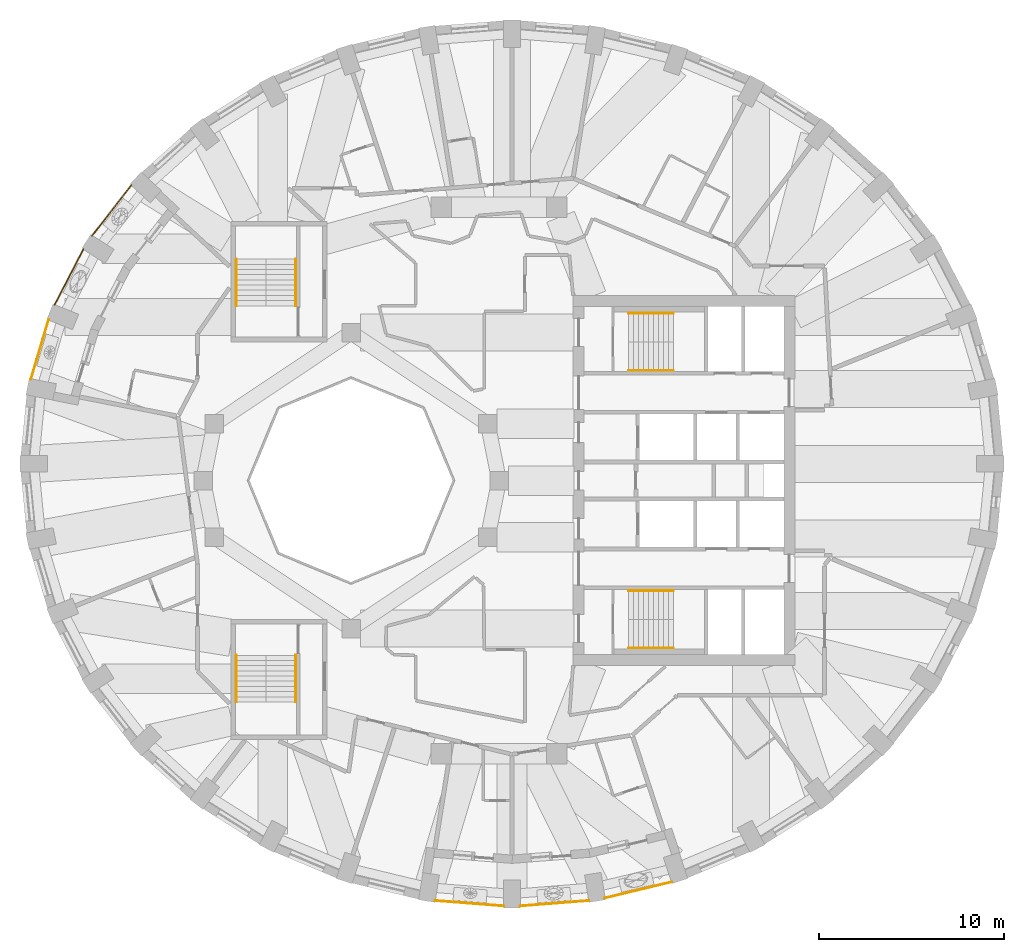
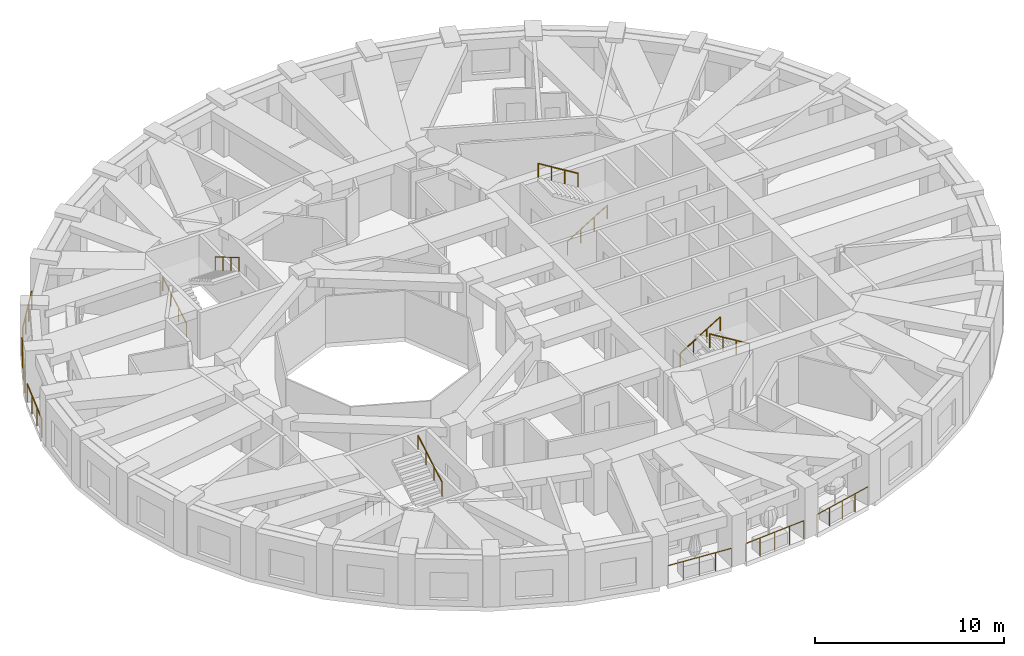
# One storey, part 10 of 12: 14 railings.
"""IFC4 building model written with IfcOpenShell, lengths in metres."""

from ifc_helpers import new_model, si_unit, direction, frame, origin, origin_2d, place, context, subcontext, project, spatial, circle, extrude, material, type_object, element, save


model = new_model("IFC4")

# Units and contexts
model_context = context("Model", 3, precision=1e-05, world=origin(), true_north=direction((0.0, 1.0)))
body_context = subcontext(model_context, "Body", "Model", "MODEL_VIEW")
ifc_project = project(units=[si_unit("LENGTHUNIT", "METRE"), si_unit("AREAUNIT", "SQUARE_METRE"), si_unit("VOLUMEUNIT", "CUBIC_METRE"), si_unit("PLANEANGLEUNIT", "RADIAN"), si_unit("MASSUNIT", "GRAM", prefix="KILO")], contexts=[model_context])

# Site, building, storey
site_placement = place(None, origin())
site = spatial("IfcSite", under=ifc_project, at=site_placement, CompositionType="ELEMENT")
building_placement = place(site_placement, origin())
building = spatial("IfcBuilding", under=site, at=building_placement, Name="Taillehof Tower", CompositionType="ELEMENT")
storey_placement = place(building_placement, frame((0.0, 0.0, 202.39990234375)))
storey = spatial("IfcBuildingStorey", under=building, at=storey_placement, Name="L57", CompositionType="ELEMENT", Elevation=202.39990234375)

# Railings
ifc_material_1 = material(Name="Stainless steel balustrade", Category="steel")
railing_type_1 = type_object("IfcRailingType", Name="Balcony guard 1200", PredefinedType="GUARDRAIL", material=ifc_material_1)
railing_1_placement = place(storey_placement, frame((-19.87255859375, 15.973876953125, 0.0)))
element("IfcRailing", 1, at=railing_1_placement, inside=storey, type_object=railing_type_1, Name="Balcony guard L57 bay 15", PredefinedType="GUARDRAIL", context=body_context, shape_type="SweptSolid", body=[
    extrude(circle(Radius=0.02392578125, at=origin_2d()), frame((0.0, 0.0, 1.17578125), z_axis=(-0.614233032347, -0.789124693552, 0.0), x_axis=(0.789124693552, -0.614233032347, 0.0)), (0.0, 0.0, 1.0), 3.467529296875),
    extrude(circle(Radius=0.02099609375, at=origin_2d()), origin(), (0.0, 0.0, 1.0), 1.15185546875),
    extrude(circle(Radius=0.02099609375, at=origin_2d()), frame((-0.7099609375, -0.912109375, 0.0)), (0.0, 0.0, 1.0), 1.15185546875),
    extrude(circle(Radius=0.02099609375, at=origin_2d()), frame((-1.419921875, -1.82421875, 0.0)), (0.0, 0.0, 1.0), 1.15185546875),
    extrude(circle(Radius=0.02099609375, at=origin_2d()), frame((-2.1298828125, -2.736328125, 0.0)), (0.0, 0.0, 1.0), 1.15185546875),
])
railing_2_placement = place(storey_placement, frame((-22.466552734375, 12.513427734375, 0.0)))
element("IfcRailing", 2, at=railing_2_placement, inside=storey, type_object=railing_type_1, Name="Balcony guard L57 bay 16", PredefinedType="GUARDRAIL", context=body_context, shape_type="SweptSolid", body=[
    extrude(circle(Radius=0.02392578125, at=origin_2d()), frame((0.0, 0.0, 1.17578125), z_axis=(-0.460229168419, -0.88780015349, 0.0), x_axis=(0.88780015349, -0.460229168419, 0.0)), (0.0, 0.0, 1.0), 3.4013671875),
    extrude(circle(Radius=0.02099609375, at=origin_2d()), origin(), (0.0, 0.0, 1.0), 1.15185546875),
    extrude(circle(Radius=0.02099609375, at=origin_2d()), frame((-0.521728515625, -1.006591796875, 0.0)), (0.0, 0.0, 1.0), 1.15185546875),
    extrude(circle(Radius=0.02099609375, at=origin_2d()), frame((-1.043701171875, -2.01318359375, 0.0)), (0.0, 0.0, 1.0), 1.15185546875),
    extrude(circle(Radius=0.02099609375, at=origin_2d()), frame((-1.5654296875, -3.019775390625, 0.0)), (0.0, 0.0, 1.0), 1.15185546875),
])
railing_3_placement = place(storey_placement, frame((-24.35400390625, 8.696044921875, 0.0)))
element("IfcRailing", 3, at=railing_3_placement, inside=storey, type_object=railing_type_1, Name="Balcony guard L57 bay 17", PredefinedType="GUARDRAIL", context=body_context, shape_type="SweptSolid", body=[
    extrude(circle(Radius=0.02392578125, at=origin_2d()), frame((0.0, 0.0, 1.17578125), z_axis=(-0.28544954127, -0.958393739227, 0.0), x_axis=(0.958393739227, -0.28544954127, 0.0)), (0.0, 0.0, 1.0), 3.351806640625),
    extrude(circle(Radius=0.02099609375, at=origin_2d()), origin(), (0.0, 0.0, 1.0), 1.15185546875),
    extrude(circle(Radius=0.02099609375, at=origin_2d()), frame((-0.31884765625, -1.07080078125, 0.0)), (0.0, 0.0, 1.0), 1.15185546875),
    extrude(circle(Radius=0.02099609375, at=origin_2d()), frame((-0.637939453125, -2.1416015625, 0.0)), (0.0, 0.0, 1.0), 1.15185546875),
    extrude(circle(Radius=0.02099609375, at=origin_2d()), frame((-0.956787109375, -3.21240234375, 0.0)), (0.0, 0.0, 1.0), 1.15185546875),
])
railing_4_placement = place(storey_placement, frame((-3.467041015625, -22.7119140625, 0.0)))
element("IfcRailing", 4, at=railing_4_placement, inside=storey, type_object=railing_type_1, Name="Balcony guard L57 bay 27", PredefinedType="GUARDRAIL", context=body_context, shape_type="SweptSolid", body=[
    extrude(circle(Radius=0.02392578125, at=origin_2d()), frame((0.0, 0.0, 1.17578125), z_axis=(0.996920832567, -0.078414626146, 0.0), x_axis=(0.078414626146, 0.996920832567, 0.0)), (0.0, 0.0, 1.0), 3.74853515625),
    extrude(circle(Radius=0.02099609375, at=origin_2d()), origin(), (0.0, 0.0, 1.0), 1.15185546875),
    extrude(circle(Radius=0.02099609375, at=origin_2d()), frame((0.934326171875, -0.073486328125, 0.0)), (0.0, 0.0, 1.0), 1.15185546875),
    extrude(circle(Radius=0.02099609375, at=origin_2d()), frame((1.86865234375, -0.14697265625, 0.0)), (0.0, 0.0, 1.0), 1.15185546875),
    extrude(circle(Radius=0.02099609375, at=origin_2d()), frame((2.802734375, -0.220458984375, 0.0)), (0.0, 0.0, 1.0), 1.15185546875),
    extrude(circle(Radius=0.02099609375, at=origin_2d()), frame((3.737060546875, -0.2939453125, 0.0)), (0.0, 0.0, 1.0), 1.15185546875),
])
railing_5_placement = place(storey_placement, frame((1.130126953125, -23.005859375, 0.0)))
element("IfcRailing", 5, at=railing_5_placement, inside=storey, type_object=railing_type_1, Name="Balcony guard L57 bay 28", PredefinedType="GUARDRAIL", context=body_context, shape_type="SweptSolid", body=[
    extrude(circle(Radius=0.02392578125, at=origin_2d()), frame((0.0, 0.0, 1.17578125), z_axis=(0.996920832567, 0.078414626146, 0.0), x_axis=(-0.078414626146, 0.996920832567, 0.0)), (0.0, 0.0, 1.0), 3.74853515625),
    extrude(circle(Radius=0.02099609375, at=origin_2d()), origin(), (0.0, 0.0, 1.0), 1.15185546875),
    extrude(circle(Radius=0.02099609375, at=origin_2d()), frame((0.934326171875, 0.073486328125, 0.0)), (0.0, 0.0, 1.0), 1.15185546875),
    extrude(circle(Radius=0.02099609375, at=origin_2d()), frame((1.86865234375, 0.14697265625, 0.0)), (0.0, 0.0, 1.0), 1.15185546875),
    extrude(circle(Radius=0.02099609375, at=origin_2d()), frame((2.802734375, 0.220458984375, 0.0)), (0.0, 0.0, 1.0), 1.15185546875),
    extrude(circle(Radius=0.02099609375, at=origin_2d()), frame((3.737060546875, 0.2939453125, 0.0)), (0.0, 0.0, 1.0), 1.15185546875),
])
railing_6_placement = place(storey_placement, frame((5.716552734375, -22.576904296875, 0.0)))
element("IfcRailing", 6, at=railing_6_placement, inside=storey, type_object=railing_type_1, Name="Balcony guard L57 bay 29", PredefinedType="GUARDRAIL", context=body_context, shape_type="SweptSolid", body=[
    extrude(circle(Radius=0.02392578125, at=origin_2d()), frame((0.0, 0.0, 1.17578125), z_axis=(0.972163104093, 0.234305140875, 0.0), x_axis=(-0.234305140875, 0.972163104093, 0.0)), (0.0, 0.0, 1.0), 3.72412109375),
    extrude(circle(Radius=0.02099609375, at=origin_2d()), origin(), (0.0, 0.0, 1.0), 1.15185546875),
    extrude(circle(Radius=0.02099609375, at=origin_2d()), frame((0.905029296875, 0.21826171875, 0.0)), (0.0, 0.0, 1.0), 1.15185546875),
    extrude(circle(Radius=0.02099609375, at=origin_2d()), frame((1.81005859375, 0.436279296875, 0.0)), (0.0, 0.0, 1.0), 1.15185546875),
    extrude(circle(Radius=0.02099609375, at=origin_2d()), frame((2.71533203125, 0.654296875, 0.0)), (0.0, 0.0, 1.0), 1.15185546875),
    extrude(circle(Radius=0.02099609375, at=origin_2d()), frame((3.620361328125, 0.87255859375, 0.0)), (0.0, 0.0, 1.0), 1.15185546875),
])
ifc_material_2 = material(Name="Stainless steel", Category="steel")
railing_type_2 = type_object("IfcRailingType", Name="Stair handrail 900", PredefinedType="HANDRAIL", material=ifc_material_2)
railing_7_placement = place(storey_placement, frame((7.0, 5.949951171875, 0.1650390625)))
element("IfcRailing", 7, at=railing_7_placement, inside=storey, type_object=railing_type_2, Name="Stair S1 handrail", PredefinedType="HANDRAIL", context=body_context, shape_type="SweptSolid", body=[
    extrude(circle(Radius=0.02392578125, at=origin_2d()), frame((0.0, 0.0, 0.8759765625), z_axis=(0.853258522278, 0.0, 0.521488153423), x_axis=(0.0, 1.0, 0.0)), (0.0, 0.0, 1.0), 2.847900390625),
    extrude(circle(Radius=0.02099609375, at=origin_2d()), origin(), (0.0, 0.0, 1.0), 0.851806640625),
    extrude(circle(Radius=0.02099609375, at=origin_2d()), frame((0.81005859375, 0.0, 0.4951171875)), (0.0, 0.0, 1.0), 0.851806640625),
    extrude(circle(Radius=0.02099609375, at=origin_2d()), frame((1.619873046875, 0.0, 0.989990234375)), (0.0, 0.0, 1.0), 0.851806640625),
    extrude(circle(Radius=0.02099609375, at=origin_2d()), frame((2.429931640625, 0.0, 1.485107421875)), (0.0, 0.0, 1.0), 0.851806640625),
])
railing_8_placement = place(storey_placement, frame((9.429931640625, 9.050048828125, 1.815185546875)))
element("IfcRailing", 8, at=railing_8_placement, inside=storey, type_object=railing_type_2, Name="Stair S1 handrail", PredefinedType="HANDRAIL", context=body_context, shape_type="SweptSolid", body=[
    extrude(circle(Radius=0.02392578125, at=origin_2d()), frame((0.0, 0.0, 0.8759765625), z_axis=(-0.853296667938, 0.0, 0.521425734392), x_axis=(0.0, -1.0, 0.0)), (0.0, 0.0, 1.0), 2.84765625),
    extrude(circle(Radius=0.02099609375, at=origin_2d()), origin(), (0.0, 0.0, 1.0), 0.851806640625),
    extrude(circle(Radius=0.02099609375, at=origin_2d()), frame((-0.81005859375, 0.0, 0.494873046875)), (0.0, 0.0, 1.0), 0.851806640625),
    extrude(circle(Radius=0.02099609375, at=origin_2d()), frame((-1.619873046875, 0.0, 0.989990234375)), (0.0, 0.0, 1.0), 0.851806640625),
    extrude(circle(Radius=0.02099609375, at=origin_2d()), frame((-2.429931640625, 0.0, 1.48486328125)), (0.0, 0.0, 1.0), 0.851806640625),
])
railing_9_placement = place(storey_placement, frame((7.0, -5.949951171875, 0.1650390625)))
element("IfcRailing", 9, at=railing_9_placement, inside=storey, type_object=railing_type_2, Name="Stair S2 handrail", PredefinedType="HANDRAIL", context=body_context, shape_type="SweptSolid", body=[
    extrude(circle(Radius=0.02392578125, at=origin_2d()), frame((0.0, 0.0, 0.8759765625), z_axis=(0.853258522278, 0.0, 0.521488153423), x_axis=(0.0, 1.0, 0.0)), (0.0, 0.0, 1.0), 2.847900390625),
    extrude(circle(Radius=0.02099609375, at=origin_2d()), origin(), (0.0, 0.0, 1.0), 0.851806640625),
    extrude(circle(Radius=0.02099609375, at=origin_2d()), frame((0.81005859375, 0.0, 0.4951171875)), (0.0, 0.0, 1.0), 0.851806640625),
    extrude(circle(Radius=0.02099609375, at=origin_2d()), frame((1.619873046875, 0.0, 0.989990234375)), (0.0, 0.0, 1.0), 0.851806640625),
    extrude(circle(Radius=0.02099609375, at=origin_2d()), frame((2.429931640625, 0.0, 1.485107421875)), (0.0, 0.0, 1.0), 0.851806640625),
])
railing_10_placement = place(storey_placement, frame((9.429931640625, -9.050048828125, 1.815185546875)))
element("IfcRailing", 10, at=railing_10_placement, inside=storey, type_object=railing_type_2, Name="Stair S2 handrail", PredefinedType="HANDRAIL", context=body_context, shape_type="SweptSolid", body=[
    extrude(circle(Radius=0.02392578125, at=origin_2d()), frame((0.0, 0.0, 0.8759765625), z_axis=(-0.853296667938, 0.0, 0.521425734392), x_axis=(0.0, -1.0, 0.0)), (0.0, 0.0, 1.0), 2.84765625),
    extrude(circle(Radius=0.02099609375, at=origin_2d()), origin(), (0.0, 0.0, 1.0), 0.851806640625),
    extrude(circle(Radius=0.02099609375, at=origin_2d()), frame((-0.81005859375, 0.0, 0.494873046875)), (0.0, 0.0, 1.0), 0.851806640625),
    extrude(circle(Radius=0.02099609375, at=origin_2d()), frame((-1.619873046875, 0.0, 0.989990234375)), (0.0, 0.0, 1.0), 0.851806640625),
    extrude(circle(Radius=0.02099609375, at=origin_2d()), frame((-2.429931640625, 0.0, 1.48486328125)), (0.0, 0.0, 1.0), 0.851806640625),
])
railing_11_placement = place(storey_placement, frame((-14.199951171875, 9.449951171875, 0.1650390625)))
element("IfcRailing", 11, at=railing_11_placement, inside=storey, type_object=railing_type_2, Name="Stair S3 handrail", PredefinedType="HANDRAIL", context=body_context, shape_type="SweptSolid", body=[
    extrude(circle(Radius=0.02392578125, at=origin_2d()), frame((0.0, 0.0, 0.8759765625), z_axis=(0.0, 0.86152411907, 0.507716645641), x_axis=(-1.0, 0.0, 0.0)), (0.0, 0.0, 1.0), 2.925048828125),
    extrude(circle(Radius=0.02099609375, at=origin_2d()), origin(), (0.0, 0.0, 1.0), 0.851806640625),
    extrude(circle(Radius=0.02099609375, at=origin_2d()), frame((0.0, 0.840087890625, 0.4951171875)), (0.0, 0.0, 1.0), 0.851806640625),
    extrude(circle(Radius=0.02099609375, at=origin_2d()), frame((0.0, 1.679931640625, 0.989990234375)), (0.0, 0.0, 1.0), 0.851806640625),
    extrude(circle(Radius=0.02099609375, at=origin_2d()), frame((0.0, 2.52001953125, 1.485107421875)), (0.0, 0.0, 1.0), 0.851806640625),
])
railing_12_placement = place(storey_placement, frame((-11.0, 11.969970703125, 1.815185546875)))
element("IfcRailing", 12, at=railing_12_placement, inside=storey, type_object=railing_type_2, Name="Stair S3 handrail", PredefinedType="HANDRAIL", context=body_context, shape_type="SweptSolid", body=[
    extrude(circle(Radius=0.02392578125, at=origin_2d()), frame((0.0, 0.0, 0.8759765625), z_axis=(0.0, -0.861560626758, 0.507654692109), x_axis=(1.0, 0.0, 0.0)), (0.0, 0.0, 1.0), 2.925048828125),
    extrude(circle(Radius=0.02099609375, at=origin_2d()), origin(), (0.0, 0.0, 1.0), 0.851806640625),
    extrude(circle(Radius=0.02099609375, at=origin_2d()), frame((0.0, -0.840087890625, 0.494873046875)), (0.0, 0.0, 1.0), 0.851806640625),
    extrude(circle(Radius=0.02099609375, at=origin_2d()), frame((0.0, -1.679931640625, 0.989990234375)), (0.0, 0.0, 1.0), 0.851806640625),
    extrude(circle(Radius=0.02099609375, at=origin_2d()), frame((0.0, -2.52001953125, 1.48486328125)), (0.0, 0.0, 1.0), 0.851806640625),
])
railing_13_placement = place(storey_placement, frame((-14.199951171875, -9.449951171875, 0.1650390625)))
element("IfcRailing", 13, at=railing_13_placement, inside=storey, type_object=railing_type_2, Name="Stair S4 handrail", PredefinedType="HANDRAIL", context=body_context, shape_type="SweptSolid", body=[
    extrude(circle(Radius=0.02392578125, at=origin_2d()), frame((0.0, 0.0, 0.8759765625), z_axis=(0.0, -0.86152411907, 0.507716645641), x_axis=(1.0, 0.0, 0.0)), (0.0, 0.0, 1.0), 2.925048828125),
    extrude(circle(Radius=0.02099609375, at=origin_2d()), origin(), (0.0, 0.0, 1.0), 0.851806640625),
    extrude(circle(Radius=0.02099609375, at=origin_2d()), frame((0.0, -0.840087890625, 0.4951171875)), (0.0, 0.0, 1.0), 0.851806640625),
    extrude(circle(Radius=0.02099609375, at=origin_2d()), frame((0.0, -1.679931640625, 0.989990234375)), (0.0, 0.0, 1.0), 0.851806640625),
    extrude(circle(Radius=0.02099609375, at=origin_2d()), frame((0.0, -2.52001953125, 1.485107421875)), (0.0, 0.0, 1.0), 0.851806640625),
])
railing_14_placement = place(storey_placement, frame((-11.0, -11.969970703125, 1.815185546875)))
element("IfcRailing", 14, at=railing_14_placement, inside=storey, type_object=railing_type_2, Name="Stair S4 handrail", PredefinedType="HANDRAIL", context=body_context, shape_type="SweptSolid", body=[
    extrude(circle(Radius=0.02392578125, at=origin_2d()), frame((0.0, 0.0, 0.8759765625), z_axis=(0.0, 0.861560626758, 0.507654692109), x_axis=(-1.0, 0.0, 0.0)), (0.0, 0.0, 1.0), 2.925048828125),
    extrude(circle(Radius=0.02099609375, at=origin_2d()), origin(), (0.0, 0.0, 1.0), 0.851806640625),
    extrude(circle(Radius=0.02099609375, at=origin_2d()), frame((0.0, 0.840087890625, 0.494873046875)), (0.0, 0.0, 1.0), 0.851806640625),
    extrude(circle(Radius=0.02099609375, at=origin_2d()), frame((0.0, 1.679931640625, 0.989990234375)), (0.0, 0.0, 1.0), 0.851806640625),
    extrude(circle(Radius=0.02099609375, at=origin_2d()), frame((0.0, 2.52001953125, 1.48486328125)), (0.0, 0.0, 1.0), 0.851806640625),
])

save(model, "model.ifc")
